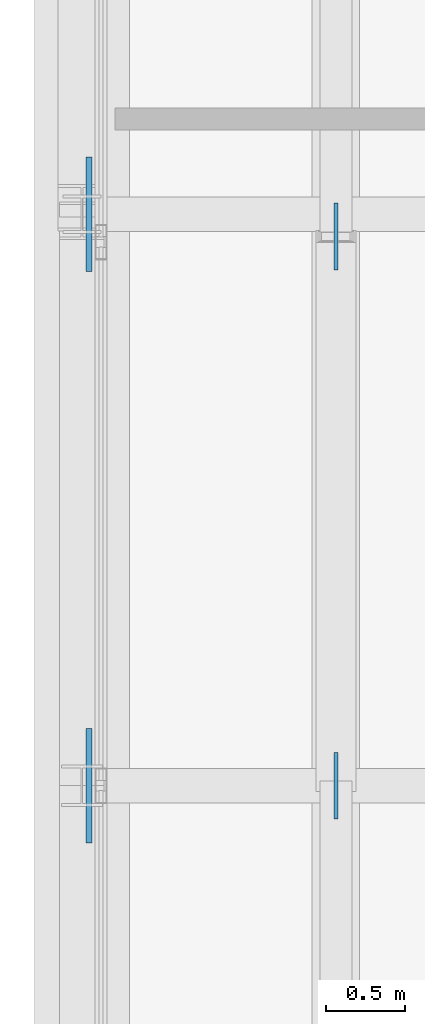
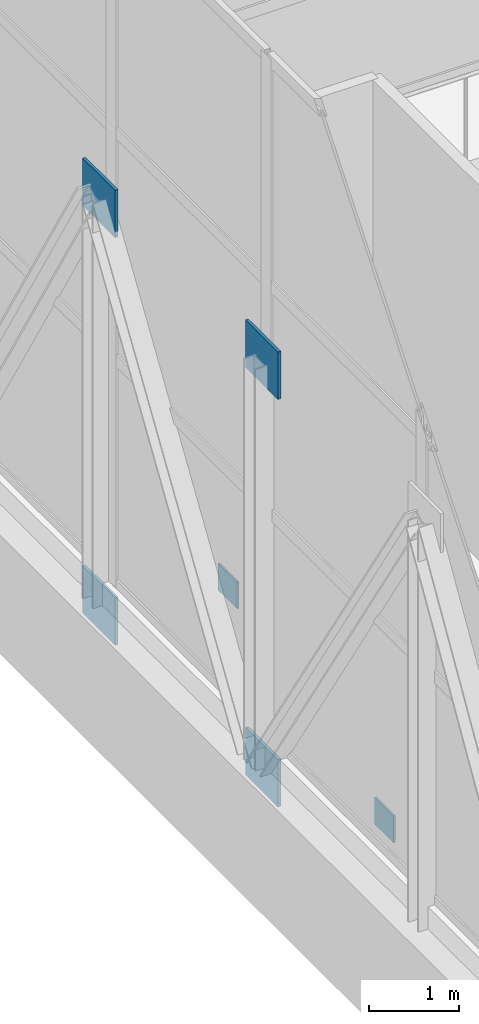
# One storey, part 160 of 191: 6 plates.
"""IFC4 building model written with IfcOpenShell, lengths in metres."""

from ifc_helpers import new_model, si_unit, direction, frame, origin, origin_2d, place, context, subcontext, project, spatial, rectangle, extrude, material, layer, layer_set, type_object, element, save


model = new_model("IFC4")

# Units and contexts
model_context = context("Model", 3, precision=1e-05, world=origin(), true_north=direction((0.0, 1.0)))
body_context = subcontext(model_context, "Body", "Model", "MODEL_VIEW")
ifc_project = project(units=[si_unit("LENGTHUNIT", "METRE"), si_unit("AREAUNIT", "SQUARE_METRE"), si_unit("VOLUMEUNIT", "CUBIC_METRE"), si_unit("PLANEANGLEUNIT", "RADIAN"), si_unit("MASSUNIT", "GRAM", prefix="KILO")], contexts=[model_context])

# Site, building, storey
site_placement = place(None, origin())
site = spatial("IfcSite", under=ifc_project, at=site_placement, CompositionType="ELEMENT")
building_placement = place(site_placement, origin())
building = spatial("IfcBuilding", under=site, at=building_placement, Name="Tamarisk Ironworks Central Station", CompositionType="ELEMENT")
storey_placement = place(building_placement, frame((0.0, 0.0, 6.60009765625)))
storey = spatial("IfcBuildingStorey", under=building, at=storey_placement, Name="L01", CompositionType="ELEMENT", Elevation=6.60009765625)

# Plates
ifc_material_1 = material(Name="Structural steel S355J2H", Category="steel")
ifc_layer_1 = layer(ifc_material_1, 0.02587890625)
ifc_layer_set_1 = layer_set([ifc_layer_1], Name="Structural steel S355J2H")
plate_type_1 = type_object("IfcPlateType", Name="PL-ND26", PredefinedType="SHEET", material=ifc_layer_set_1)
for number, where, z_axis, x_axis, name in (
    (1, (55.60009765625, 57.60009765625, -1.8203125), (0.0, 0.0, 1.0), (1.0, 0.0, 0.0), "Bridge deck stiffening brace gusset plate 141"),
    (2, (55.60009765625, 61.06005859375, -0.76025390625), (0.0, 0.0, 1.0), (1.0, 0.0, 0.0), "Bridge deck stiffening brace gusset plate 142"),
):
    element("IfcPlate", number, at=place(storey_placement, frame(where, z_axis=z_axis, x_axis=x_axis)), inside=storey, type_object=plate_type_1, Name=name, PredefinedType="SHEET", context=body_context, shape_type="SweptSolid", body=[
        extrude(rectangle(XDim=0.02587890625, YDim=0.419921875, at=origin_2d()), origin(), (0.0, 0.0, 1.0), 0.360107421875),
    ])
ifc_material_2 = material(Name="Structural steel S355J2", Category="steel")
ifc_layer_2 = layer(ifc_material_2, 0.0380859375)
ifc_layer_set_2 = layer_set([ifc_layer_2], Name="Structural steel S355J2")
plate_type_2 = type_object("IfcPlateType", Name="PL-ND38", PredefinedType="SHEET", material=ifc_layer_set_2)
for number, where, z_axis, x_axis, name in (
    (3, (54.044921875, 57.60009765625, -0.7001953125), (0.0, 0.0, 1.0), (1.0, 0.0, 0.0), "Transfer truss gusset node plate 019"),
    (4, (54.044921875, 57.60009765625, 4.7998046875), (0.0, 0.0, 1.0), (1.0, 0.0, 0.0), "Transfer truss gusset node plate 020"),
    (5, (54.044921875, 61.199951171875, -0.7001953125), (0.0, 0.0, 1.0), (1.0, 0.0, 0.0), "Transfer truss gusset node plate 021"),
    (6, (54.044921875, 61.199951171875, 4.7998046875), (0.0, 0.0, 1.0), (1.0, 0.0, 0.0), "Transfer truss gusset node plate 022"),
):
    element("IfcPlate", number, at=place(storey_placement, frame(where, z_axis=z_axis, x_axis=x_axis)), inside=storey, type_object=plate_type_2, Name=name, PredefinedType="SHEET", context=body_context, shape_type="SweptSolid", body=[
        extrude(rectangle(XDim=0.0380859375, YDim=0.719970703125, at=origin_2d()), origin(), (0.0, 0.0, 1.0), 0.639892578125),
    ])

save(model, "model.ifc")
